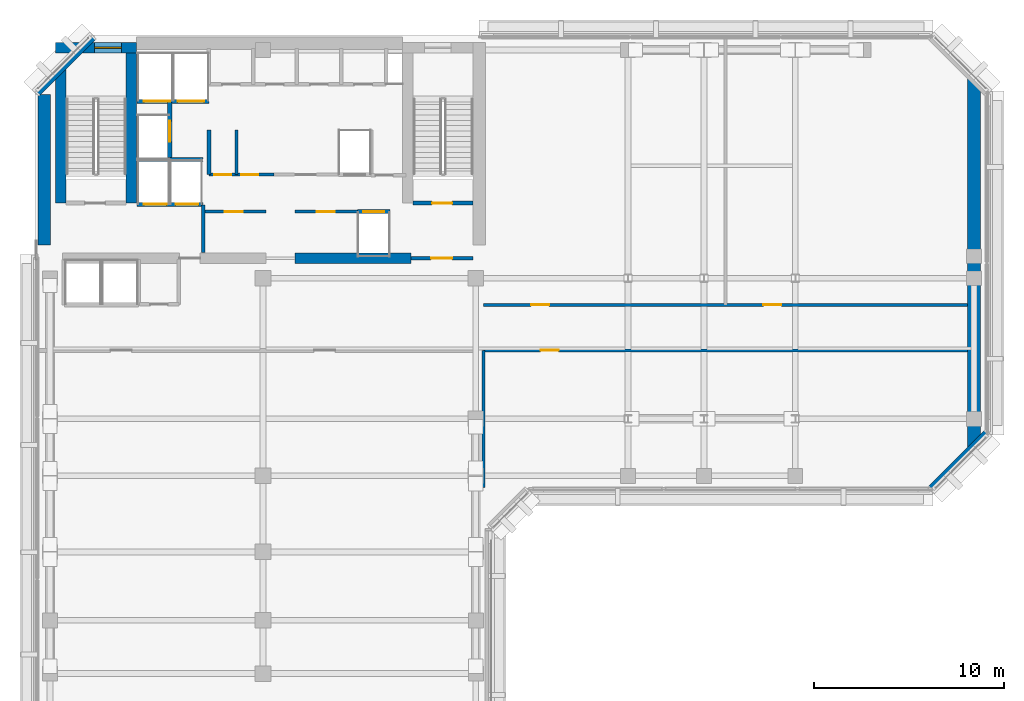
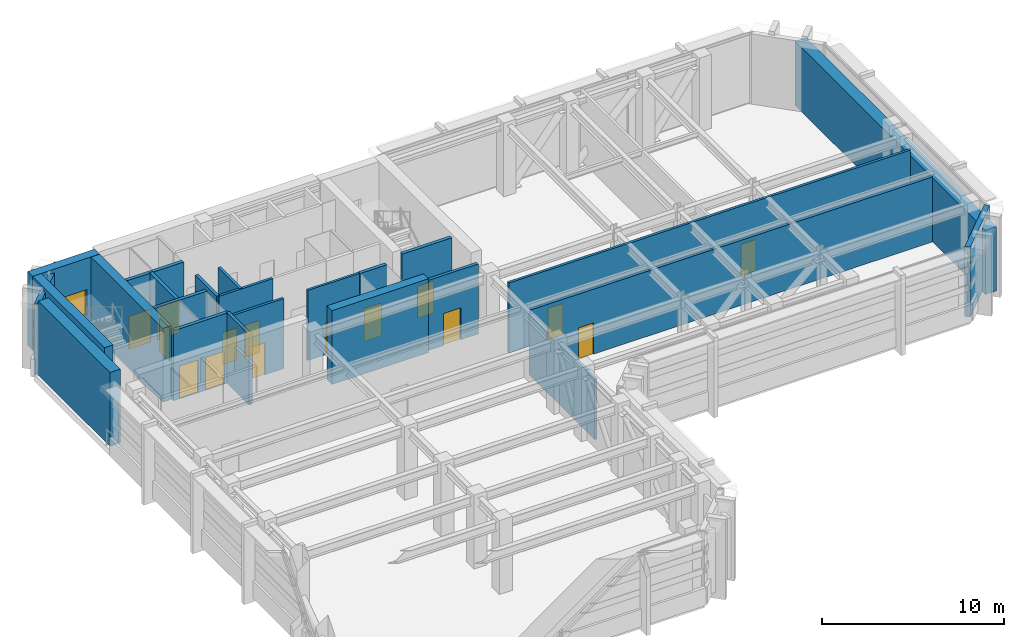
# One storey, part 6 of 11: 24 walls, 15 doors, 1 window, 16 openings.
"""IFC4 building model written with IfcOpenShell, lengths in metres."""

from ifc_helpers import new_model, si_unit, direction, frame, frame_2d, origin, place, context, subcontext, project, spatial, rectangle, extrude, material, layer, layer_set, type_object, element, fill, save


model = new_model("IFC4")

# Units and contexts
model_context = context("Model", 3, precision=1e-05, world=origin(), true_north=direction((0.0, 1.0)))
body_context = subcontext(model_context, "Body", "Model", "MODEL_VIEW")
ifc_project = project(units=[si_unit("LENGTHUNIT", "METRE"), si_unit("AREAUNIT", "SQUARE_METRE"), si_unit("VOLUMEUNIT", "CUBIC_METRE"), si_unit("PLANEANGLEUNIT", "RADIAN"), si_unit("MASSUNIT", "GRAM", prefix="KILO")], contexts=[model_context])

# Site, building, storey
site_placement = place(None, origin())
site = spatial("IfcSite", under=ifc_project, at=site_placement, CompositionType="ELEMENT")
building_placement = place(site_placement, origin())
building = spatial("IfcBuilding", under=site, at=building_placement, Name="Kefirva Bronze Tower", CompositionType="ELEMENT")
storey_placement = place(building_placement, frame((0.0, 0.0, 251.4599609375)))
storey = spatial("IfcBuildingStorey", under=building, at=storey_placement, Name="L61", CompositionType="ELEMENT", Elevation=251.4599609375)

# Wall, opening, door
ifc_material_1 = material(Name="Gypsum acoustic partition")
ifc_layer_1 = layer(ifc_material_1, 0.14990234375, Name="Gypsum acoustic partition")
ifc_layer_set_1 = layer_set([ifc_layer_1], Name="Gypsum acoustic partition")
wall_type_1 = type_object("IfcWallType", Name="Executive Suite Partition 150mm", PredefinedType="PARTITIONING", material=ifc_layer_set_1)
wall_1_placement = place(storey_placement, frame((13.679931640625, 36.699951171875, 0.0), z_axis=(0.0, 0.0, 1.0), x_axis=(1.0, 0.0, 0.0)))
wall_1 = element("IfcWall", 1, at=wall_1_placement, inside=storey, type_object=wall_type_1, Name="L61 Partition W-L61-RECMP1", PredefinedType="PARTITIONING", context=body_context, shape_type="SweptSolid", body=[
    extrude(rectangle(XDim=3.280029296875, YDim=0.14990234375, at=frame_2d((1.64013671875, 0.0))), origin(), (0.0, 0.0, 1.0), 4.699951171875),
])
opening_1_placement = place(wall_1_placement, frame((1.14990234375, 0.0, 0.0)))
opening_1 = element("IfcOpeningElement", 2, at=opening_1_placement, cuts=wall_1, Name="Opening L61-D-RECMP1", PredefinedType="OPENING", context=body_context, shape_type="SweptSolid", body=[
    extrude(rectangle(XDim=0.949951171875, YDim=2.14990234375, at=frame_2d((0.47509765625, 1.074951171875))), frame((0.0, 0.0849609375, 0.0), z_axis=(0.0, -1.0, 0.0), x_axis=(1.0, 0.0, 0.0)), (0.0, 0.0, 1.0), 0.169921875),
])
ifc_material_2 = material(Name="Acoustic hardwood oak", Category="wood")
door_type_1 = type_object("IfcDoorType", Name="Office & Meeting Room Door 950x2150", OperationType="NOTDEFINED", PredefinedType="DOOR", material=ifc_material_2)
door_1_placement = place(opening_1_placement, origin())
door_1 = element("IfcDoor", 3, at=door_1_placement, inside=storey, type_object=door_type_1, Name="Door L61-D-RECMP1", OperationType="SINGLE_SWING_RIGHT", OverallHeight=2.14990234375, OverallWidth=0.949951171875, PredefinedType="DOOR", context=body_context, shape_type="SweptSolid", body=[
    extrude(rectangle(XDim=0.949951171875, YDim=2.14990234375, at=frame_2d((0.47509765625, 1.074951171875))), frame((0.0, 0.02490234375, 0.0), z_axis=(0.0, -1.0, 0.0), x_axis=(1.0, 0.0, 0.0)), (0.0, 0.0, 1.0), 0.050048828125),
])
fill(opening_1, door_1)

ifc_material_3 = material(Name="Gypsum fireboard shaftwall")
ifc_layer_2 = layer(ifc_material_3, 0.219970703125, Name="Gypsum fireboard shaftwall")
ifc_layer_set_2 = layer_set([ifc_layer_2], Name="Gypsum fireboard shaftwall")
wall_type_2 = type_object("IfcWallType", Name="Fire-Rated Shaft Enclosure Wall 220mm", PredefinedType="PARTITIONING", material=ifc_layer_set_2)
wall_2_placement = place(storey_placement, frame((19.89990234375, 37.14990234375, 0.0), z_axis=(0.0, 0.0, 1.0), x_axis=(1.0, 0.0, 0.0)))
wall_2 = element("IfcWall", 4, at=wall_2_placement, inside=storey, type_object=wall_type_2, Name="L61 Partition W-L61-ST2S", PredefinedType="PARTITIONING", context=body_context, shape_type="SweptSolid", body=[
    extrude(rectangle(XDim=3.150146484375, YDim=0.219970703125, at=frame_2d((1.5751953125, 0.0))), origin(), (0.0, 0.0, 1.0), 4.699951171875),
])
opening_2_placement = place(wall_2_placement, frame((2.050048828125, 0.0, 0.0), z_axis=(0.0, 0.0, 1.0), x_axis=(-1.0, 0.0, 0.0)))
opening_2 = element("IfcOpeningElement", 5, at=opening_2_placement, cuts=wall_2, Name="Opening L61-D003", PredefinedType="OPENING", context=body_context, shape_type="SweptSolid", body=[
    extrude(rectangle(XDim=1.050048828125, YDim=2.14990234375, at=frame_2d((0.52490234375, 1.074951171875))), frame((0.0, 0.1201171875, 0.0), z_axis=(0.0, -1.0, 0.0), x_axis=(1.0, 0.0, 0.0)), (0.0, 0.0, 1.0), 0.239990234375),
])
ifc_material_4 = material(Name="Painted galvanized steel", Category="steel")
door_type_2 = type_object("IfcDoorType", Name="Fire Stair Enclosure Door 1050x2150 FD90S", OperationType="NOTDEFINED", PredefinedType="DOOR", material=ifc_material_4)
door_2_placement = place(opening_2_placement, origin())
door_2 = element("IfcDoor", 6, at=door_2_placement, inside=storey, type_object=door_type_2, Name="Door L61-D003", OperationType="SINGLE_SWING_LEFT", OverallHeight=2.14990234375, OverallWidth=1.050048828125, PredefinedType="DOOR", context=body_context, shape_type="SweptSolid", body=[
    extrude(rectangle(XDim=1.050048828125, YDim=2.14990234375, at=frame_2d((0.52490234375, 1.074951171875))), frame((0.0, 0.02490234375, 0.0), z_axis=(0.0, -1.0, 0.0), x_axis=(1.0, 0.0, 0.0)), (0.0, 0.0, 1.0), 0.050048828125),
])
fill(opening_2, door_2)

# Wall, openings, doors
wall_3_placement = place(storey_placement, frame((5.3798828125, 37.080078125, 0.0), z_axis=(0.0, 0.0, 1.0), x_axis=(1.0, 0.0, 0.0)))
wall_3 = element("IfcWall", 7, at=wall_3_placement, inside=storey, type_object=wall_type_2, Name="L61 Partition W-L61-FFS", PredefinedType="PARTITIONING", context=body_context, shape_type="SweptSolid", body=[
    extrude(rectangle(XDim=3.460205078125, YDim=0.219970703125, at=frame_2d((1.72998046875, 0.0))), origin(), (0.0, 0.0, 1.0), 4.699951171875),
])
opening_3_placement = place(wall_3_placement, frame((1.550048828125, 0.0, 0.0), z_axis=(0.0, 0.0, 1.0), x_axis=(-1.0, 0.0, 0.0)))
opening_3 = element("IfcOpeningElement", 8, at=opening_3_placement, cuts=wall_3, Name="Opening L61-LD-FF1", PredefinedType="OPENING", context=body_context, shape_type="SweptSolid", body=[
    extrude(rectangle(XDim=1.199951171875, YDim=2.199951171875, at=frame_2d((0.60009765625, 1.10009765625))), frame((0.0, 0.1201171875, 0.0), z_axis=(0.0, -1.0, 0.0), x_axis=(1.0, 0.0, 0.0)), (0.0, 0.0, 1.0), 0.239990234375),
])
opening_4_placement = place(wall_3_placement, frame((3.219970703125, 0.0, 0.0), z_axis=(0.0, 0.0, 1.0), x_axis=(-1.0, 0.0, 0.0)))
opening_4 = element("IfcOpeningElement", 9, at=opening_4_placement, cuts=wall_3, Name="Opening L61-LD-FF2", PredefinedType="OPENING", context=body_context, shape_type="SweptSolid", body=[
    extrude(rectangle(XDim=1.199951171875, YDim=2.199951171875, at=frame_2d((0.60009765625, 1.10009765625))), frame((0.0, 0.1201171875, 0.0), z_axis=(0.0, -1.0, 0.0), x_axis=(1.0, 0.0, 0.0)), (0.0, 0.0, 1.0), 0.239990234375),
])
ifc_material_5 = material(Name="Stainless steel 316", Category="steel")
door_type_3 = type_object("IfcDoorType", Name="Firefighting Lift Sliding Door 1200x2200", OperationType="SLIDING_TO_RIGHT", PredefinedType="DOOR", material=ifc_material_5)
door_3_placement = place(opening_3_placement, origin())
door_3 = element("IfcDoor", 10, at=door_3_placement, inside=storey, type_object=door_type_3, Name="Door L61-LD-FF1", OperationType="SLIDING_TO_RIGHT", OverallHeight=2.199951171875, OverallWidth=1.199951171875, PredefinedType="DOOR", context=body_context, shape_type="SweptSolid", body=[
    extrude(rectangle(XDim=1.199951171875, YDim=2.199951171875, at=frame_2d((0.60009765625, 1.10009765625))), frame((0.0, 0.02490234375, 0.0), z_axis=(0.0, -1.0, 0.0), x_axis=(1.0, 0.0, 0.0)), (0.0, 0.0, 1.0), 0.050048828125),
])
fill(opening_3, door_3)
door_4_placement = place(opening_4_placement, origin())
door_4 = element("IfcDoor", 11, at=door_4_placement, inside=storey, type_object=door_type_3, Name="Door L61-LD-FF2", OperationType="SLIDING_TO_RIGHT", OverallHeight=2.199951171875, OverallWidth=1.199951171875, PredefinedType="DOOR", context=body_context, shape_type="SweptSolid", body=[
    extrude(rectangle(XDim=1.199951171875, YDim=2.199951171875, at=frame_2d((0.60009765625, 1.10009765625))), frame((0.0, 0.02490234375, 0.0), z_axis=(0.0, -1.0, 0.0), x_axis=(1.0, 0.0, 0.0)), (0.0, 0.0, 1.0), 0.050048828125),
])
fill(opening_4, door_4)

# Wall
wall_4_placement = place(storey_placement, frame((5.3798828125, 39.449951171875, 0.0), z_axis=(0.0, 0.0, 1.0), x_axis=(1.0, 0.0, 0.0)))
element("IfcWall", 12, at=wall_4_placement, inside=storey, type_object=wall_type_2, Name="L61 Partition W-L61-FFN", PredefinedType="PARTITIONING", context=body_context, shape_type="SweptSolid", body=[
    extrude(rectangle(XDim=3.460205078125, YDim=0.219970703125, at=frame_2d((1.72998046875, 0.0))), origin(), (0.0, 0.0, 1.0), 4.699951171875),
])

# Wall, openings, doors
wall_5_placement = place(storey_placement, frame((5.3798828125, 42.5, 0.0), z_axis=(0.0, 0.0, 1.0), x_axis=(1.0, 0.0, 0.0)))
wall_5 = element("IfcWall", 13, at=wall_5_placement, inside=storey, type_object=wall_type_2, Name="L61 Partition W-L61-SVS", PredefinedType="PARTITIONING", context=body_context, shape_type="SweptSolid", body=[
    extrude(rectangle(XDim=3.77001953125, YDim=0.219970703125, at=frame_2d((1.885009765625, 0.0))), origin(), (0.0, 0.0, 1.0), 4.699951171875),
])
opening_5_placement = place(wall_5_placement, frame((1.75, 0.0, 0.0), z_axis=(0.0, 0.0, 1.0), x_axis=(-1.0, 0.0, 0.0)))
opening_5 = element("IfcOpeningElement", 14, at=opening_5_placement, cuts=wall_5, Name="Opening L61-LD-SV1", PredefinedType="OPENING", context=body_context, shape_type="SweptSolid", body=[
    extrude(rectangle(XDim=1.39990234375, YDim=2.199951171875, at=frame_2d((0.699951171875, 1.10009765625))), frame((0.0, 0.1201171875, 0.0), z_axis=(0.0, -1.0, 0.0), x_axis=(1.0, 0.0, 0.0)), (0.0, 0.0, 1.0), 0.239990234375),
])
opening_6_placement = place(wall_5_placement, frame((3.52978515625, 0.0, 0.0), z_axis=(0.0, 0.0, 1.0), x_axis=(-1.0, 0.0, 0.0)))
opening_6 = element("IfcOpeningElement", 15, at=opening_6_placement, cuts=wall_5, Name="Opening L61-LD-SV2", PredefinedType="OPENING", context=body_context, shape_type="SweptSolid", body=[
    extrude(rectangle(XDim=1.39990234375, YDim=2.199951171875, at=frame_2d((0.699951171875, 1.10009765625))), frame((0.0, 0.1201171875, 0.0), z_axis=(0.0, -1.0, 0.0), x_axis=(1.0, 0.0, 0.0)), (0.0, 0.0, 1.0), 0.239990234375),
])
door_type_4 = type_object("IfcDoorType", Name="Goods Lift Bi-Parting Sliding Door 1400x2200", OperationType="SLIDING_TO_LEFT", PredefinedType="DOOR", material=ifc_material_5)
door_5_placement = place(opening_5_placement, origin())
door_5 = element("IfcDoor", 16, at=door_5_placement, inside=storey, type_object=door_type_4, Name="Door L61-LD-SV1", OperationType="SLIDING_TO_LEFT", OverallHeight=2.199951171875, OverallWidth=1.39990234375, PredefinedType="DOOR", context=body_context, shape_type="SweptSolid", body=[
    extrude(rectangle(XDim=1.39990234375, YDim=2.199951171875, at=frame_2d((0.699951171875, 1.10009765625))), frame((0.0, 0.02490234375, 0.0), z_axis=(0.0, -1.0, 0.0), x_axis=(1.0, 0.0, 0.0)), (0.0, 0.0, 1.0), 0.050048828125),
])
fill(opening_5, door_5)
door_6_placement = place(opening_6_placement, origin())
door_6 = element("IfcDoor", 17, at=door_6_placement, inside=storey, type_object=door_type_4, Name="Door L61-LD-SV2", OperationType="SLIDING_TO_LEFT", OverallHeight=2.199951171875, OverallWidth=1.39990234375, PredefinedType="DOOR", context=body_context, shape_type="SweptSolid", body=[
    extrude(rectangle(XDim=1.39990234375, YDim=2.199951171875, at=frame_2d((0.699951171875, 1.10009765625))), frame((0.0, 0.02490234375, 0.0), z_axis=(0.0, -1.0, 0.0), x_axis=(1.0, 0.0, 0.0)), (0.0, 0.0, 1.0), 0.050048828125),
])
fill(opening_6, door_6)

# Wall, opening, door
wall_6_placement = place(storey_placement, frame((7.10009765625, 39.52001953125, 0.0), z_axis=(0.0, 0.0, 1.0), x_axis=(0.0, 1.0, 0.0)))
wall_6 = element("IfcWall", 18, at=wall_6_placement, inside=storey, type_object=wall_type_2, Name="L61 Partition W-L61-HP3E", PredefinedType="PARTITIONING", context=body_context, shape_type="SweptSolid", body=[
    extrude(rectangle(XDim=2.929931640625, YDim=0.219970703125, at=frame_2d((1.46484375, 0.0))), origin(), (0.0, 0.0, 1.0), 4.699951171875),
])
opening_7_placement = place(wall_6_placement, frame((0.85009765625, 0.0, 0.0)))
opening_7 = element("IfcOpeningElement", 19, at=opening_7_placement, cuts=wall_6, Name="Opening L61-LD-HP3", PredefinedType="OPENING", context=body_context, shape_type="SweptSolid", body=[
    extrude(rectangle(XDim=1.10009765625, YDim=2.199951171875, at=frame_2d((0.550048828125, 1.10009765625))), frame((0.0, 0.1201171875, 0.0), z_axis=(0.0, -1.0, 0.0), x_axis=(1.0, 0.0, 0.0)), (0.0, 0.0, 1.0), 0.239990234375),
])
door_type_5 = type_object("IfcDoorType", Name="Passenger Lift Sliding Landing Door 1100x2200", OperationType="SLIDING_TO_LEFT", PredefinedType="DOOR", material=ifc_material_5)
door_7_placement = place(opening_7_placement, origin())
door_7 = element("IfcDoor", 20, at=door_7_placement, inside=storey, type_object=door_type_5, Name="Door L61-LD-HP3", OperationType="SLIDING_TO_LEFT", OverallHeight=2.199951171875, OverallWidth=1.10009765625, PredefinedType="DOOR", context=body_context, shape_type="SweptSolid", body=[
    extrude(rectangle(XDim=1.10009765625, YDim=2.199951171875, at=frame_2d((0.550048828125, 1.10009765625))), frame((0.0, 0.02490234375, 0.0), z_axis=(0.0, -1.0, 0.0), x_axis=(1.0, 0.0, 0.0)), (0.0, 0.0, 1.0), 0.050048828125),
])
fill(opening_7, door_7)

# Wall
wall_7_placement = place(storey_placement, frame((9.159912109375, 38.64990234375, 0.0), z_axis=(0.0, 0.0, 1.0), x_axis=(0.0, 1.0, 0.0)))
element("IfcWall", 21, at=wall_7_placement, inside=storey, type_object=wall_type_2, Name="L61 Partition W-L61-LP3W", PredefinedType="PARTITIONING", context=body_context, shape_type="SweptSolid", body=[
    extrude(rectangle(XDim=2.35009765625, YDim=0.199951171875, at=frame_2d((1.175048828125, 0.0))), origin(), (0.0, 0.0, 1.0), 4.699951171875),
])

# Wall, opening, door
wall_8_placement = place(storey_placement, frame((16.97998046875, 36.699951171875, 0.0), z_axis=(0.0, 0.0, 1.0), x_axis=(1.0, 0.0, 0.0)))
wall_8 = element("IfcWall", 22, at=wall_8_placement, inside=storey, type_object=wall_type_2, Name="L61 Partition W-L61-HPS", PredefinedType="PARTITIONING", context=body_context, shape_type="SweptSolid", body=[
    extrude(rectangle(XDim=1.699951171875, YDim=0.219970703125, at=frame_2d((0.85009765625, 0.0))), origin(), (0.0, 0.0, 1.0), 4.699951171875),
])
opening_8_placement = place(wall_8_placement, frame((0.300048828125, 0.0, 0.0)))
opening_8 = element("IfcOpeningElement", 23, at=opening_8_placement, cuts=wall_8, Name="Opening L61-LD-HP1", PredefinedType="OPENING", context=body_context, shape_type="SweptSolid", body=[
    extrude(rectangle(XDim=1.10009765625, YDim=2.199951171875, at=frame_2d((0.550048828125, 1.10009765625))), frame((0.0, 0.1201171875, 0.0), z_axis=(0.0, -1.0, 0.0), x_axis=(1.0, 0.0, 0.0)), (0.0, 0.0, 1.0), 0.239990234375),
])
door_8_placement = place(opening_8_placement, origin())
door_8 = element("IfcDoor", 24, at=door_8_placement, inside=storey, type_object=door_type_5, Name="Door L61-LD-HP1", OperationType="SLIDING_TO_LEFT", OverallHeight=2.199951171875, OverallWidth=1.10009765625, PredefinedType="DOOR", context=body_context, shape_type="SweptSolid", body=[
    extrude(rectangle(XDim=1.10009765625, YDim=2.199951171875, at=frame_2d((0.550048828125, 1.10009765625))), frame((0.0, 0.02490234375, 0.0), z_axis=(0.0, -1.0, 0.0), x_axis=(1.0, 0.0, 0.0)), (0.0, 0.0, 1.0), 0.050048828125),
])
fill(opening_8, door_8)

# Wall
ifc_material_6 = material(Name="Gypsum fireboard barrier")
ifc_layer_3 = layer(ifc_material_6, 0.199951171875, Name="Gypsum fireboard barrier")
ifc_layer_set_3 = layer_set([ifc_layer_3], Name="Gypsum fireboard barrier")
wall_type_3 = type_object("IfcWallType", Name="Firefighting Lobby Barrier Wall 200mm", PredefinedType="PARTITIONING", material=ifc_layer_set_3)
wall_9_placement = place(storey_placement, frame((8.860107421875, 34.550048828125, 0.0), z_axis=(0.0, 0.0, 1.0), x_axis=(0.0, 1.0, 0.0)))
element("IfcWall", 25, at=wall_9_placement, inside=storey, type_object=wall_type_3, Name="L61 Partition W-L61-FFLE", PredefinedType="PARTITIONING", context=body_context, shape_type="SweptSolid", body=[
    extrude(rectangle(XDim=2.5, YDim=0.199951171875, at=frame_2d((1.25, 0.0))), origin(), (0.0, 0.0, 1.0), 4.699951171875),
])

# Wall, opening, door
wall_10_placement = place(storey_placement, frame((19.800048828125, 34.25, 0.0), z_axis=(0.0, 0.0, 1.0), x_axis=(1.0, 0.0, 0.0)))
wall_10 = element("IfcWall", 26, at=wall_10_placement, inside=storey, type_object=wall_type_3, Name="L61 Partition W-L61-ST2F", PredefinedType="PARTITIONING", context=body_context, shape_type="SweptSolid", body=[
    extrude(rectangle(XDim=3.25, YDim=0.199951171875, at=frame_2d((1.625, 0.0))), origin(), (0.0, 0.0, 1.0), 4.699951171875),
])
opening_9_placement = place(wall_10_placement, frame((2.150146484375, 0.0, 0.0), z_axis=(0.0, 0.0, 1.0), x_axis=(-1.0, 0.0, 0.0)))
opening_9 = element("IfcOpeningElement", 27, at=opening_9_placement, cuts=wall_10, Name="Opening L61-D004", PredefinedType="OPENING", context=body_context, shape_type="SweptSolid", body=[
    extrude(rectangle(XDim=1.10009765625, YDim=2.14990234375, at=frame_2d((0.550048828125, 1.074951171875))), frame((0.0, 0.10986328125, 0.0), z_axis=(0.0, -1.0, 0.0), x_axis=(1.0, 0.0, 0.0)), (0.0, 0.0, 1.0), 0.219970703125),
])
door_type_6 = type_object("IfcDoorType", Name="Firefighting Lobby Smoke Door 1100x2150 FD60S", OperationType="NOTDEFINED", PredefinedType="DOOR", material=ifc_material_4)
door_9_placement = place(opening_9_placement, origin())
door_9 = element("IfcDoor", 28, at=door_9_placement, inside=storey, type_object=door_type_6, Name="Door L61-D004", OperationType="SINGLE_SWING_RIGHT", OverallHeight=2.14990234375, OverallWidth=1.10009765625, PredefinedType="DOOR", context=body_context, shape_type="SweptSolid", body=[
    extrude(rectangle(XDim=1.10009765625, YDim=2.14990234375, at=frame_2d((0.550048828125, 1.074951171875))), frame((0.0, 0.02490234375, 0.0), z_axis=(0.0, -1.0, 0.0), x_axis=(1.0, 0.0, 0.0)), (0.0, 0.0, 1.0), 0.050048828125),
])
fill(opening_9, door_9)

# Walls
ifc_material_7 = material(Name="Precast concrete C40/50", Category="concrete")
ifc_layer_4 = layer(ifc_material_7, 0.320068359375, Name="Precast concrete C40/50")
ifc_layer_set_4 = layer_set([ifc_layer_4], Name="Precast concrete C40/50")
wall_type_4 = type_object("IfcWallType", Name="Precast Insulated Exterior Wall 320mm", PredefinedType="SOLIDWALL", material=ifc_layer_set_4)
for number, where, z_axis, x_axis, name in (
    (29, (47.125732421875, 22.152099609375, 0.0), (0.0, 0.0, 1.0), (0.707136318428, 0.707077242712, 0.0), "L61 Exterior Facade Wall 4"),
    (30, (3.07421875, 45.847900390625, 0.0), (0.0, 0.0, 1.0), (-0.707106781187, -0.707106781187, 0.0), "L61 Exterior Facade Wall 6"),
):
    element("IfcWall", number, at=place(storey_placement, frame(where, z_axis=z_axis, x_axis=x_axis)), inside=storey, type_object=wall_type_4, Name=name, PredefinedType="SOLIDWALL", context=body_context, shape_type="SweptSolid", body=[
        extrude(rectangle(XDim=4.132568359375, YDim=0.320068359375, at=frame_2d((2.06640625, 0.0))), origin(), (0.0, 0.0, 1.0), 4.699951171875),
    ])

# Wall, opening, door
ifc_layer_5 = layer(ifc_material_1, 0.159912109375, Name="Gypsum acoustic partition")
ifc_layer_set_5 = layer_set([ifc_layer_5], Name="Gypsum acoustic partition")
wall_type_5 = type_object("IfcWallType", Name="Protected Corridor Partition 160mm", PredefinedType="PARTITIONING", material=ifc_layer_set_5)
wall_11_placement = place(storey_placement, frame((8.89990234375, 36.699951171875, 0.0), z_axis=(0.0, 0.0, 1.0), x_axis=(1.0, 0.0, 0.0)))
wall_11 = element("IfcWall", 31, at=wall_11_placement, inside=storey, type_object=wall_type_5, Name="L61 Partition W-L61-RECLP1", PredefinedType="PARTITIONING", context=body_context, shape_type="SweptSolid", body=[
    extrude(rectangle(XDim=3.25, YDim=0.159912109375, at=frame_2d((1.625, 0.0))), origin(), (0.0, 0.0, 1.0), 4.699951171875),
])
opening_10_placement = place(wall_11_placement, frame((1.10009765625, 0.0, 0.0)))
opening_10 = element("IfcOpeningElement", 32, at=opening_10_placement, cuts=wall_11, Name="Opening L61-D-RECLP1", PredefinedType="OPENING", context=body_context, shape_type="SweptSolid", body=[
    extrude(rectangle(XDim=0.949951171875, YDim=2.14990234375, at=frame_2d((0.47509765625, 1.074951171875))), frame((0.0, 0.08984375, 0.0), z_axis=(0.0, -1.0, 0.0), x_axis=(1.0, 0.0, 0.0)), (0.0, 0.0, 1.0), 0.179931640625),
])
door_10_placement = place(opening_10_placement, origin())
door_10 = element("IfcDoor", 33, at=door_10_placement, inside=storey, type_object=door_type_1, Name="Door L61-D-RECLP1", OperationType="SINGLE_SWING_LEFT", OverallHeight=2.14990234375, OverallWidth=0.949951171875, PredefinedType="DOOR", context=body_context, shape_type="SweptSolid", body=[
    extrude(rectangle(XDim=0.949951171875, YDim=2.14990234375, at=frame_2d((0.47509765625, 1.074951171875))), frame((0.0, 0.02490234375, 0.0), z_axis=(0.0, -1.0, 0.0), x_axis=(1.0, 0.0, 0.0)), (0.0, 0.0, 1.0), 0.050048828125),
])
fill(opening_10, door_10)

# Wall, openings, doors
wall_12_placement = place(storey_placement, frame((9.159912109375, 38.64990234375, 0.0), z_axis=(0.0, 0.0, 1.0), x_axis=(1.0, 0.0, 0.0)))
wall_12 = element("IfcWall", 34, at=wall_12_placement, inside=storey, type_object=wall_type_5, Name="L61 Partition W-L61-RECLP2", PredefinedType="PARTITIONING", context=body_context, shape_type="SweptSolid", body=[
    extrude(rectangle(XDim=3.420166015625, YDim=0.159912109375, at=frame_2d((1.7099609375, 0.0))), origin(), (0.0, 0.0, 1.0), 4.699951171875),
])
opening_11_placement = place(wall_12_placement, frame((1.179931640625, 0.0, 0.0), z_axis=(0.0, 0.0, 1.0), x_axis=(-1.0, 0.0, 0.0)))
opening_11 = element("IfcOpeningElement", 35, at=opening_11_placement, cuts=wall_12, Name="Opening L61-D-RECLP2A", PredefinedType="OPENING", context=body_context, shape_type="SweptSolid", body=[
    extrude(rectangle(XDim=0.89990234375, YDim=2.14990234375, at=frame_2d((0.449951171875, 1.074951171875))), frame((0.0, 0.08984375, 0.0), z_axis=(0.0, -1.0, 0.0), x_axis=(1.0, 0.0, 0.0)), (0.0, 0.0, 1.0), 0.179931640625),
])
opening_12_placement = place(wall_12_placement, frame((2.599853515625, 0.0, 0.0), z_axis=(0.0, 0.0, 1.0), x_axis=(-1.0, 0.0, 0.0)))
opening_12 = element("IfcOpeningElement", 36, at=opening_12_placement, cuts=wall_12, Name="Opening L61-D-RECLP2B", PredefinedType="OPENING", context=body_context, shape_type="SweptSolid", body=[
    extrude(rectangle(XDim=0.89990234375, YDim=2.14990234375, at=frame_2d((0.449951171875, 1.074951171875))), frame((0.0, 0.08984375, 0.0), z_axis=(0.0, -1.0, 0.0), x_axis=(1.0, 0.0, 0.0)), (0.0, 0.0, 1.0), 0.179931640625),
])
door_type_7 = type_object("IfcDoorType", Name="Core Archive & Server Fire Door 900x2150 FD60S", OperationType="NOTDEFINED", PredefinedType="DOOR", material=ifc_material_4)
door_11_placement = place(opening_11_placement, origin())
door_11 = element("IfcDoor", 37, at=door_11_placement, inside=storey, type_object=door_type_7, Name="Door L61-D-RECLP2A", OperationType="SINGLE_SWING_RIGHT", OverallHeight=2.14990234375, OverallWidth=0.89990234375, PredefinedType="DOOR", context=body_context, shape_type="SweptSolid", body=[
    extrude(rectangle(XDim=0.89990234375, YDim=2.14990234375, at=frame_2d((0.449951171875, 1.074951171875))), frame((0.0, 0.02490234375, 0.0), z_axis=(0.0, -1.0, 0.0), x_axis=(1.0, 0.0, 0.0)), (0.0, 0.0, 1.0), 0.050048828125),
])
fill(opening_11, door_11)
door_12_placement = place(opening_12_placement, origin())
door_12 = element("IfcDoor", 38, at=door_12_placement, inside=storey, type_object=door_type_7, Name="Door L61-D-RECLP2B", OperationType="SINGLE_SWING_LEFT", OverallHeight=2.14990234375, OverallWidth=0.89990234375, PredefinedType="DOOR", context=body_context, shape_type="SweptSolid", body=[
    extrude(rectangle(XDim=0.89990234375, YDim=2.14990234375, at=frame_2d((0.449951171875, 1.074951171875))), frame((0.0, 0.02490234375, 0.0), z_axis=(0.0, -1.0, 0.0), x_axis=(1.0, 0.0, 0.0)), (0.0, 0.0, 1.0), 0.050048828125),
])
fill(opening_12, door_12)

# Wall
wall_13_placement = place(storey_placement, frame((10.60009765625, 38.64990234375, 0.0), z_axis=(0.0, 0.0, 1.0), x_axis=(0.0, 1.0, 0.0)))
element("IfcWall", 39, at=wall_13_placement, inside=storey, type_object=wall_type_5, Name="L61 Partition W-L61-RECLP2D", PredefinedType="PARTITIONING", context=body_context, shape_type="SweptSolid", body=[
    extrude(rectangle(XDim=2.35009765625, YDim=0.159912109375, at=frame_2d((1.175048828125, 0.0))), origin(), (0.0, 0.0, 1.0), 4.699951171875),
])

# Wall, openings, doors
wall_14_placement = place(storey_placement, frame((23.60009765625, 31.800048828125, 0.0), z_axis=(0.0, 0.0, 1.0), x_axis=(1.0, 0.0, 0.0)))
wall_14 = element("IfcWall", 40, at=wall_14_placement, inside=storey, type_object=wall_type_5, Name="L61 Partition W-L61-PLTE", PredefinedType="PARTITIONING", context=body_context, shape_type="SweptSolid", body=[
    extrude(rectangle(XDim=25.449951171875, YDim=0.159912109375, at=frame_2d((12.72509765625, 0.0))), origin(), (0.0, 0.0, 1.0), 4.699951171875),
])
opening_13_placement = place(wall_14_placement, frame((2.5, 0.0, 0.0)))
opening_13 = element("IfcOpeningElement", 41, at=opening_13_placement, cuts=wall_14, Name="Opening L61-D-AHU", PredefinedType="OPENING", context=body_context, shape_type="SweptSolid", body=[
    extrude(rectangle(XDim=0.949951171875, YDim=2.10009765625, at=frame_2d((0.47509765625, 1.050048828125))), frame((0.0, 0.08984375, 0.0), z_axis=(0.0, -1.0, 0.0), x_axis=(1.0, 0.0, 0.0)), (0.0, 0.0, 1.0), 0.179931640625),
])
opening_14_placement = place(wall_14_placement, frame((14.72509765625, 0.0, 0.0)))
opening_14 = element("IfcOpeningElement", 42, at=opening_14_placement, cuts=wall_14, Name="Opening L61-D-ELP", PredefinedType="OPENING", context=body_context, shape_type="SweptSolid", body=[
    extrude(rectangle(XDim=0.949951171875, YDim=2.10009765625, at=frame_2d((0.47509765625, 1.050048828125))), frame((0.0, 0.08984375, 0.0), z_axis=(0.0, -1.0, 0.0), x_axis=(1.0, 0.0, 0.0)), (0.0, 0.0, 1.0), 0.179931640625),
])
door_type_8 = type_object("IfcDoorType", Name="Riser & Plant Shaft Fire Door 950x2100 FD60S", OperationType="NOTDEFINED", PredefinedType="DOOR", material=ifc_material_4)
door_13_placement = place(opening_13_placement, origin())
door_13 = element("IfcDoor", 43, at=door_13_placement, inside=storey, type_object=door_type_8, Name="Door L61-D-AHU", OperationType="SINGLE_SWING_RIGHT", OverallHeight=2.10009765625, OverallWidth=0.949951171875, PredefinedType="DOOR", context=body_context, shape_type="SweptSolid", body=[
    extrude(rectangle(XDim=0.949951171875, YDim=2.10009765625, at=frame_2d((0.47509765625, 1.050048828125))), frame((0.0, 0.02490234375, 0.0), z_axis=(0.0, -1.0, 0.0), x_axis=(1.0, 0.0, 0.0)), (0.0, 0.0, 1.0), 0.050048828125),
])
fill(opening_13, door_13)
door_14_placement = place(opening_14_placement, origin())
door_14 = element("IfcDoor", 44, at=door_14_placement, inside=storey, type_object=door_type_8, Name="Door L61-D-ELP", OperationType="SINGLE_SWING_LEFT", OverallHeight=2.10009765625, OverallWidth=0.949951171875, PredefinedType="DOOR", context=body_context, shape_type="SweptSolid", body=[
    extrude(rectangle(XDim=0.949951171875, YDim=2.10009765625, at=frame_2d((0.47509765625, 1.050048828125))), frame((0.0, 0.02490234375, 0.0), z_axis=(0.0, -1.0, 0.0), x_axis=(1.0, 0.0, 0.0)), (0.0, 0.0, 1.0), 0.050048828125),
])
fill(opening_14, door_14)

# Wall, opening, door
wall_15_placement = place(storey_placement, frame((23.60009765625, 29.39990234375, 0.0), z_axis=(0.0, 0.0, 1.0), x_axis=(1.0, 0.0, 0.0)))
wall_15 = element("IfcWall", 45, at=wall_15_placement, inside=storey, type_object=wall_type_5, Name="L61 Partition W-L61-PLTS", PredefinedType="PARTITIONING", context=body_context, shape_type="SweptSolid", body=[
    extrude(rectangle(XDim=25.449951171875, YDim=0.159912109375, at=frame_2d((12.72509765625, 0.0))), origin(), (0.0, 0.0, 1.0), 4.35498046875),
])
opening_15_placement = place(wall_15_placement, frame((3.0, 0.0, 0.0)))
opening_15 = element("IfcOpeningElement", 46, at=opening_15_placement, cuts=wall_15, Name="Opening L61-D-BMS", PredefinedType="OPENING", context=body_context, shape_type="SweptSolid", body=[
    extrude(rectangle(XDim=0.949951171875, YDim=2.10009765625, at=frame_2d((0.47509765625, 1.050048828125))), frame((0.0, 0.08984375, 0.0), z_axis=(0.0, -1.0, 0.0), x_axis=(1.0, 0.0, 0.0)), (0.0, 0.0, 1.0), 0.179931640625),
])
door_15_placement = place(opening_15_placement, origin())
door_15 = element("IfcDoor", 47, at=door_15_placement, inside=storey, type_object=door_type_8, Name="Door L61-D-BMS", OperationType="SINGLE_SWING_RIGHT", OverallHeight=2.10009765625, OverallWidth=0.949951171875, PredefinedType="DOOR", context=body_context, shape_type="SweptSolid", body=[
    extrude(rectangle(XDim=0.949951171875, YDim=2.10009765625, at=frame_2d((0.47509765625, 1.050048828125))), frame((0.0, 0.02490234375, 0.0), z_axis=(0.0, -1.0, 0.0), x_axis=(1.0, 0.0, 0.0)), (0.0, 0.0, 1.0), 0.050048828125),
])
fill(opening_15, door_15)

# Wall
wall_16_placement = place(storey_placement, frame((23.60009765625, 22.18994140625, 0.0), z_axis=(0.0, 0.0, 1.0), x_axis=(0.0, 1.0, 0.0)))
element("IfcWall", 48, at=wall_16_placement, inside=storey, type_object=wall_type_5, Name="L61 Partition W-L61-PLTSW", PredefinedType="PARTITIONING", context=body_context, shape_type="SweptSolid", body=[
    extrude(rectangle(XDim=7.2099609375, YDim=0.159912109375, at=frame_2d((3.60498046875, 0.0))), origin(), (0.0, 0.0, 1.0), 4.0849609375),
])

# Wall, opening, window
ifc_material_8 = material(Name="Concrete C50/60", Category="concrete")
ifc_layer_6 = layer(ifc_material_8, 0.550048828125, Name="Concrete C50/60")
ifc_layer_set_6 = layer_set([ifc_layer_6], Name="Concrete C50/60")
wall_type_6 = type_object("IfcWallType", Name="RC Rear Core Exterior Wall 550mm", PredefinedType="SHEAR", material=ifc_layer_set_6)
wall_17_placement = place(storey_placement, frame((1.10009765625, 45.320068359375, 0.0), z_axis=(0.0, 0.0, 1.0), x_axis=(1.0, 0.0, 0.0)))
wall_17 = element("IfcWall", 49, at=wall_17_placement, inside=storey, type_object=wall_type_6, Name="L61 Stair 1 North Shear Wall", PredefinedType="SHEAR", context=body_context, shape_type="SweptSolid", body=[
    extrude(rectangle(XDim=4.239990234375, YDim=0.550048828125, at=frame_2d((2.1201171875, 0.0))), origin(), (0.0, 0.0, 1.0), 4.949951171875),
])
opening_16_placement = place(wall_17_placement, frame((2.050048828125, 0.0, 1.050048828125)))
opening_16 = element("IfcOpeningElement", 50, at=opening_16_placement, cuts=wall_17, Name="Opening WN-03", PredefinedType="OPENING", context=body_context, shape_type="SweptSolid", body=[
    extrude(rectangle(XDim=1.39990234375, YDim=1.800048828125, at=frame_2d((0.699951171875, 0.89990234375))), frame((0.0, 0.28515625, 0.0), z_axis=(0.0, -1.0, 0.0), x_axis=(1.0, 0.0, 0.0)), (0.0, 0.0, 1.0), 0.570068359375),
])
ifc_material_9 = material(Name="Laminated low-E double glazing", Category="glass")
window_type = type_object("IfcWindowType", Name="Rear-Core Stair Daylight Window 1400x1800", PartitioningType="SINGLE_PANEL", PredefinedType="WINDOW", material=ifc_material_9)
window_placement = place(opening_16_placement, origin())
window = element("IfcWindow", 51, at=window_placement, inside=storey, type_object=window_type, Name="L61 Stair 1 Daylight Window", OverallHeight=1.800048828125, OverallWidth=1.39990234375, PartitioningType="SINGLE_PANEL", PredefinedType="WINDOW", context=body_context, shape_type="SweptSolid", body=[
    extrude(rectangle(XDim=1.39990234375, YDim=1.800048828125, at=frame_2d((0.699951171875, 0.89990234375))), frame((0.0, 0.030029296875, 0.0), z_axis=(0.0, -1.0, 0.0), x_axis=(1.0, 0.0, 0.0)), (0.0, 0.0, 1.0), 0.06005859375),
])
fill(opening_16, window)

# Walls
ifc_layer_7 = layer(ifc_material_8, 0.64990234375, Name="Concrete C50/60")
ifc_layer_set_7 = layer_set([ifc_layer_7], Name="Concrete C50/60")
wall_type_7 = type_object("IfcWallType", Name="RC Rear Core Exterior Wall 650mm", PredefinedType="SHEAR", material=ifc_layer_set_7)
wall_18_placement = place(storey_placement, frame((0.5, 34.949951171875, 0.0), z_axis=(0.0, 0.0, 1.0), x_axis=(0.0, 1.0, 0.0)))
element("IfcWall", 52, at=wall_18_placement, inside=storey, type_object=wall_type_7, Name="L61 Rear Core West Shear Wall", PredefinedType="SHEAR", context=body_context, shape_type="SweptSolid", body=[
    extrude(rectangle(XDim=7.900146484375, YDim=0.64990234375, at=frame_2d((3.9501953125, 0.0))), origin(), (0.0, 0.0, 1.0), 4.949951171875),
])
ifc_layer_8 = layer(ifc_material_8, 0.550048828125, Name="Concrete C50/60")
ifc_layer_set_8 = layer_set([ifc_layer_8], Name="Concrete C50/60")
wall_type_8 = type_object("IfcWallType", Name="RC Rear Core Interior Wall 550mm", PredefinedType="SHEAR", material=ifc_layer_set_8)
for number, where, z_axis, x_axis, name in (
    (53, (1.3701171875, 37.14990234375, 0.0), (0.0, 0.0, 1.0), (0.0, 1.0, 0.0), "L61 Stair 1 West Shear Wall"),
    (54, (5.070068359375, 37.14990234375, 0.0), (0.0, 0.0, 1.0), (0.0, 1.0, 0.0), "L61 Stair 1 East Shear Wall"),
):
    element("IfcWall", number, at=place(storey_placement, frame(where, z_axis=z_axis, x_axis=x_axis)), inside=storey, type_object=wall_type_8, Name=name, PredefinedType="SHEAR", context=body_context, shape_type="SweptSolid", body=[
        extrude(rectangle(XDim=7.89013671875, YDim=0.550048828125, at=frame_2d((3.945068359375, 0.0))), origin(), (0.0, 0.0, 1.0), 4.949951171875),
    ])
ifc_layer_9 = layer(ifc_material_8, 0.64990234375, Name="Concrete C50/60")
ifc_layer_set_9 = layer_set([ifc_layer_9], Name="Concrete C50/60")
wall_type_9 = type_object("IfcWallType", Name="RC Rear Core Interior Wall 650mm", PredefinedType="SHEAR", material=ifc_layer_set_9)
wall_19_placement = place(storey_placement, frame((13.679931640625, 34.25, 0.0), z_axis=(0.0, 0.0, 1.0), x_axis=(1.0, 0.0, 0.0)))
element("IfcWall", 55, at=wall_19_placement, inside=storey, type_object=wall_type_9, Name="L61 Rear Core South-East Shear Wall", PredefinedType="SHEAR", context=body_context, shape_type="SweptSolid", body=[
    extrude(rectangle(XDim=6.1201171875, YDim=0.550048828125, at=frame_2d((3.06005859375, 0.0))), origin(), (0.0, 0.0, 1.0), 4.949951171875),
])
ifc_material_10 = material(Name="Concrete C60/75", Category="concrete")
ifc_layer_10 = layer(ifc_material_10, 0.699951171875, Name="Concrete C60/75")
ifc_layer_set_10 = layer_set([ifc_layer_10], Name="Concrete C60/75")
wall_type_10 = type_object("IfcWallType", Name="RC Refuge Perimeter Belt Wall 700mm", PredefinedType="SHEAR", material=ifc_layer_set_10)
wall_20_placement = place(storey_placement, frame((49.39990234375, 23.5, 0.0), z_axis=(0.0, 0.0, 1.0), x_axis=(0.0, 1.0, 0.0)))
element("IfcWall", 56, at=wall_20_placement, inside=storey, type_object=wall_type_10, Name="L61 East Perimeter Belt Shear Wall", PredefinedType="SHEAR", context=body_context, shape_type="SweptSolid", body=[
    extrude(rectangle(XDim=20.89990234375, YDim=0.699951171875, at=frame_2d((10.449951171875, 0.0))), origin(), (0.0, 0.0, 1.0), 4.300048828125),
])

save(model, "model.ifc")
